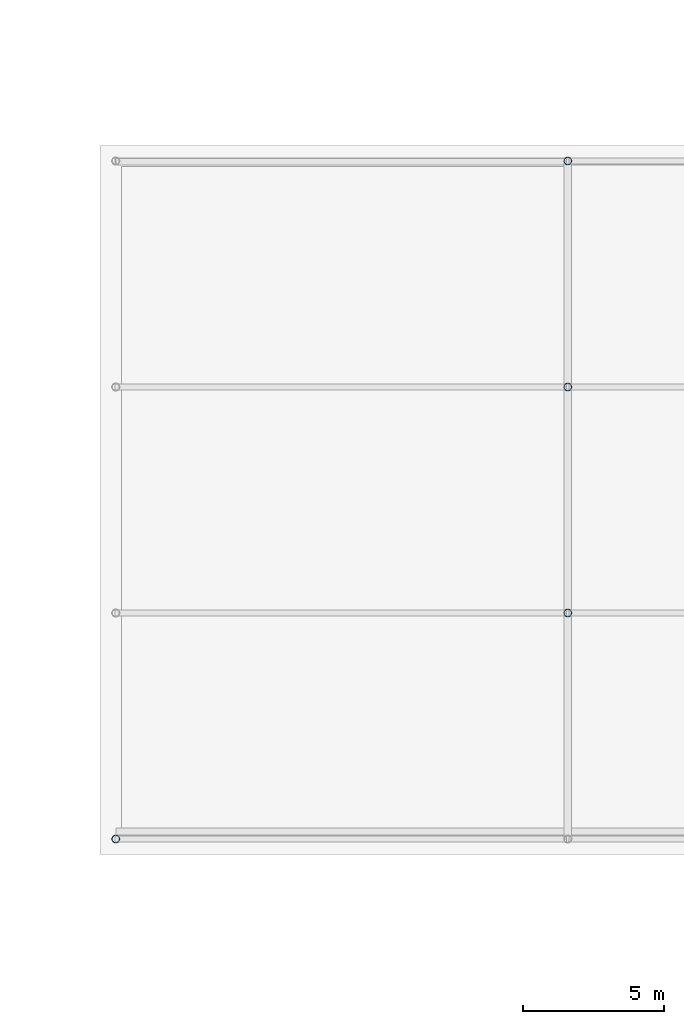
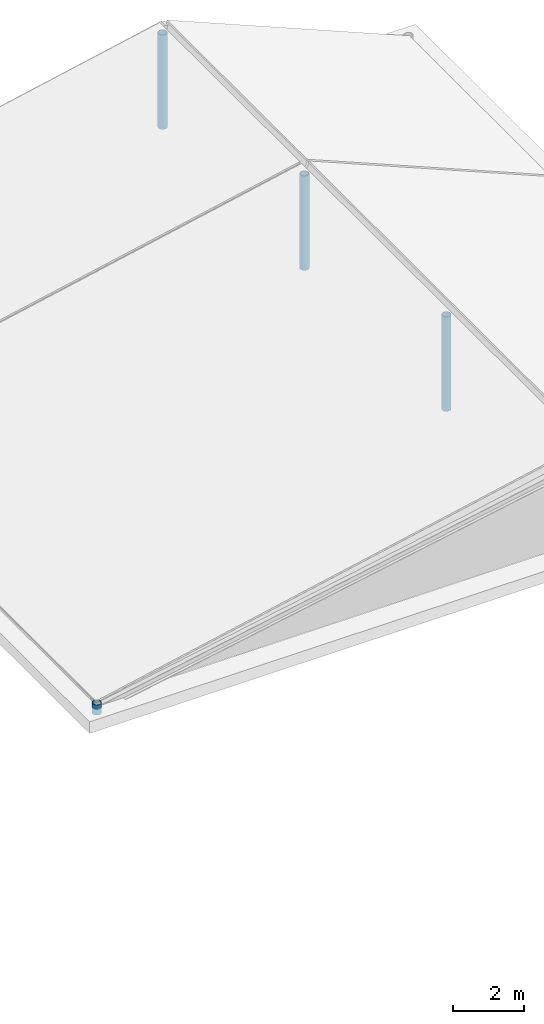
# One storey, part 5 of 43: 4 columns.
"""IFC4 building model written with IfcOpenShell, lengths in metres."""

from ifc_helpers import new_model, si_unit, direction, frame, origin, origin_2d, place, context, subcontext, project, spatial, hollow_circle, extrude, material, material_profile, profile_set, type_object, element, save


model = new_model("IFC4")

# Units and contexts
model_context = context("Model", 3, precision=1e-05, world=origin(), true_north=direction((0.0, 1.0)))
body_context = subcontext(model_context, "Body", "Model", "MODEL_VIEW")
ifc_project = project(units=[si_unit("LENGTHUNIT", "METRE"), si_unit("AREAUNIT", "SQUARE_METRE"), si_unit("VOLUMEUNIT", "CUBIC_METRE"), si_unit("PLANEANGLEUNIT", "RADIAN"), si_unit("MASSUNIT", "GRAM", prefix="KILO")], contexts=[model_context])

# Site, building, storey
site_placement = place(None, origin())
site = spatial("IfcSite", under=ifc_project, at=site_placement, CompositionType="ELEMENT")
building_placement = place(site_placement, origin())
building = spatial("IfcBuilding", under=site, at=building_placement, Name="Qorikala Patio Media Centre", CompositionType="ELEMENT")
storey_placement = place(building_placement, frame((0.0, 0.0, 18.89990234375)))
storey = spatial("IfcBuildingStorey", under=building, at=storey_placement, Name="L04", CompositionType="ELEMENT", Elevation=18.89990234375)

# Columns
ifc_material = material(Name="Steel S355", Category="steel")
ifc_material_profile = material_profile(ifc_material, hollow_circle(Radius=0.136474609375, WallThickness=0.010009765625, at=origin_2d()), Name="CHS273X10")
ifc_profile_set = profile_set([ifc_material_profile], Name="Steel S355")
column_type = type_object("IfcColumnType", Name="SCOL-CHS273X10", PredefinedType="COLUMN", material=ifc_profile_set)
column_placement = place(storey_placement, frame((51.0, 64.0, 0.0), z_axis=(0.0, 0.0, 1.0), x_axis=(1.0, 0.0, 0.0)))
element("IfcColumn", 1, at=column_placement, inside=storey, type_object=column_type, Name="RF-V5A Eave Post (51,64)", PredefinedType="COLUMN", context=body_context, shape_type="SweptSolid", body=[
    extrude(hollow_circle(Radius=0.136474609375, WallThickness=0.010009765625, at=origin_2d()), origin(), (0.0, 0.0, 1.0), 0.35009765625),
])
for number, where, z_axis, x_axis, name in (
    (2, (67.0, 72.0, 0.0), (0.0, 0.0, 1.0), (1.0, 0.0, 0.0), "RF-V5A Gable Ridge Post Y=72"),
    (3, (67.0, 80.0, 0.0), (0.0, 0.0, 1.0), (1.0, 0.0, 0.0), "RF-V5A Gable Ridge Post Y=80"),
    (4, (67.0, 88.0, 0.0), (0.0, 0.0, 1.0), (1.0, 0.0, 0.0), "RF-V5B Gable Ridge Post Y=88"),
):
    element("IfcColumn", number, at=place(storey_placement, frame(where, z_axis=z_axis, x_axis=x_axis)), inside=storey, type_object=column_type, Name=name, PredefinedType="COLUMN", context=body_context, shape_type="SweptSolid", body=[
        extrude(hollow_circle(Radius=0.136474609375, WallThickness=0.010009765625, at=origin_2d()), origin(), (0.0, 0.0, 1.0), 3.25),
    ])

save(model, "model.ifc")
